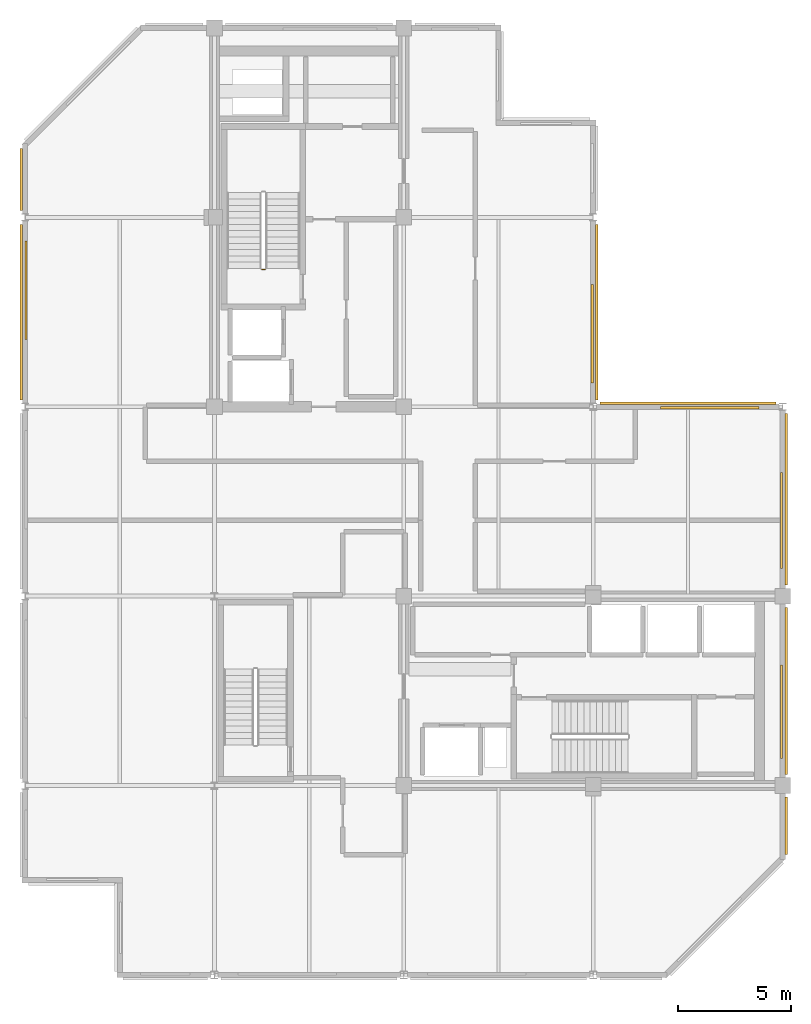
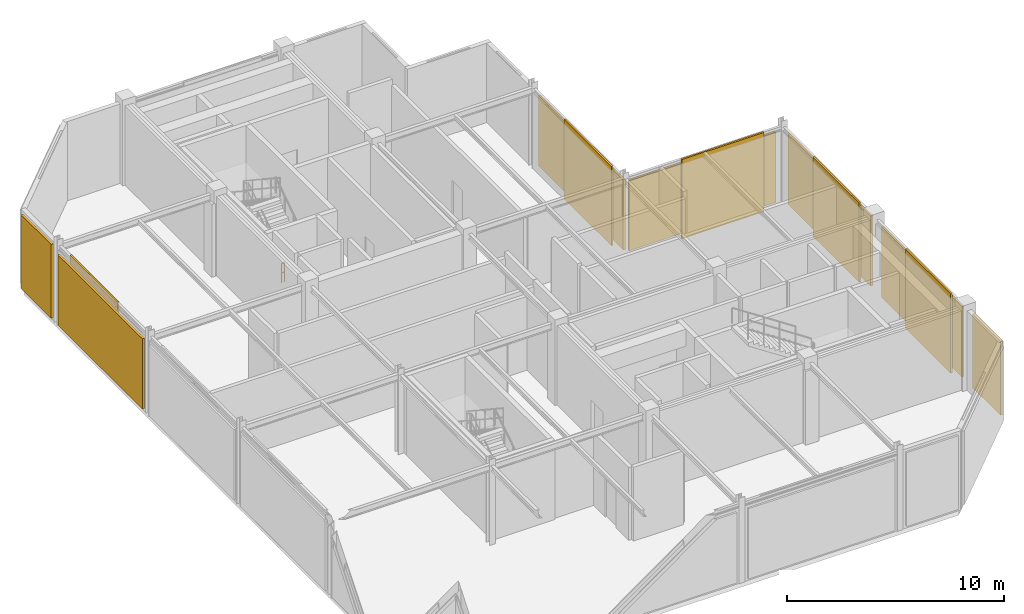
# One storey, part 8 of 9: 7 shading devices, 5 coverings, 1 railing.
"""IFC4 building model written with IfcOpenShell, lengths in metres."""

from ifc_helpers import new_model, si_unit, direction, frame, origin, origin_2d, place, context, subcontext, project, spatial, rectangle, circle, extrude, material, layer, layer_set, type_object, element, save


model = new_model("IFC4")

# Units and contexts
model_context = context("Model", 3, precision=1e-05, world=origin(), true_north=direction((0.0, 1.0)))
body_context = subcontext(model_context, "Body", "Model", "MODEL_VIEW")
ifc_project = project(units=[si_unit("LENGTHUNIT", "METRE"), si_unit("AREAUNIT", "SQUARE_METRE"), si_unit("VOLUMEUNIT", "CUBIC_METRE"), si_unit("PLANEANGLEUNIT", "RADIAN"), si_unit("MASSUNIT", "GRAM", prefix="KILO")], contexts=[model_context])

# Site, building, storey
site_placement = place(None, origin())
site = spatial("IfcSite", under=ifc_project, at=site_placement, CompositionType="ELEMENT")
building_placement = place(site_placement, origin())
building = spatial("IfcBuilding", under=site, at=building_placement, Name="Nerrivon Quay Data Exchange", CompositionType="ELEMENT")
storey_placement = place(building_placement, frame((0.0, 0.0, 322.199951171875)))
storey = spatial("IfcBuildingStorey", under=building, at=storey_placement, Name="L77", CompositionType="ELEMENT", Elevation=322.199951171875)

# Coverings
ifc_material_1 = material(Name="Architectural terracotta ceramic", Category="masonry")
ifc_layer_1 = layer(ifc_material_1, 0.090087890625)
ifc_layer_set_1 = layer_set([ifc_layer_1], Name="Architectural terracotta ceramic")
covering_type = type_object("IfcCoveringType", Name="COV-SCR-TERR", PredefinedType="CLADDING", material=ifc_layer_set_1)
for number, where, z_axis, x_axis, name in (
    (1, (0.044921875, 30.3701171875, 0.0), (0.0, 0.0, 1.0), (0.0, 1.0, 0.0), "L77 Perforated Terracotta SOLAR SCREEN Cassette"),
    (2, (25.155029296875, 28.4296875, 0.0), (0.0, 0.0, 1.0), (0.0, -1.0, 0.0), "L77 Perforated Terracotta SOLAR SCREEN Cassette"),
):
    element("IfcCovering", number, at=place(storey_placement, frame(where, z_axis=z_axis, x_axis=x_axis)), inside=storey, type_object=covering_type, Name=name, PredefinedType="CLADDING", context=body_context, shape_type="SweptSolid", body=[
        extrude(rectangle(XDim=4.365966796875, YDim=0.090087890625, at=origin_2d()), origin(), (0.0, 0.0, 1.0), 4.449951171875),
    ])
covering_1_placement = place(storey_placement, frame((30.37109375, 25.155029296875, 0.0), z_axis=(0.0, 0.0, 1.0), x_axis=(1.0, 0.0, 0.0)))
element("IfcCovering", 3, at=covering_1_placement, inside=storey, type_object=covering_type, Name="L77 Perforated Terracotta SOLAR SCREEN Cassette", PredefinedType="CLADDING", context=body_context, shape_type="SweptSolid", body=[
    extrude(rectangle(XDim=4.3701171875, YDim=0.090087890625, at=origin_2d()), origin(), (0.0, 0.0, 1.0), 4.449951171875),
])
covering_2_placement = place(storey_placement, frame((33.554931640625, 20.149169921875, 0.0), z_axis=(0.0, 0.0, 1.0), x_axis=(0.0, -1.0, 0.0)))
element("IfcCovering", 4, at=covering_2_placement, inside=storey, type_object=covering_type, Name="L77 Perforated Terracotta SOLAR SCREEN Cassette", PredefinedType="CLADDING", context=body_context, shape_type="SweptSolid", body=[
    extrude(rectangle(XDim=4.261962890625, YDim=0.090087890625, at=origin_2d()), origin(), (0.0, 0.0, 1.0), 4.449951171875),
])
covering_3_placement = place(storey_placement, frame((33.554931640625, 11.676025390625, 0.0), z_axis=(0.0, 0.0, 1.0), x_axis=(0.0, -1.0, 0.0)))
element("IfcCovering", 5, at=covering_3_placement, inside=storey, type_object=covering_type, Name="L77 Perforated Terracotta SOLAR SCREEN Cassette", PredefinedType="CLADDING", context=body_context, shape_type="SweptSolid", body=[
    extrude(rectangle(XDim=4.157958984375, YDim=0.090087890625, at=origin_2d()), origin(), (0.0, 0.0, 1.0), 4.449951171875),
])

# Railing
ifc_material_2 = material(Name="Steel Grade C350L0 (350 MPa)", Category="steel")
railing_type = type_object("IfcRailingType", Name="RAIL-STAIR-GR1", PredefinedType="BALUSTRADE", material=ifc_material_2)
railing_placement = place(storey_placement, frame((10.64990234375, 31.280029296875, 0.0)))
element("IfcRailing", 6, at=railing_placement, inside=storey, type_object=railing_type, Name="L77 ST01 stair guard 4", PredefinedType="BALUSTRADE", context=body_context, shape_type="SweptSolid", body=[
    extrude(circle(Radius=0.02392578125, at=origin_2d()), frame((0.0, 0.0, 1.076171875), z_axis=(-1.0, 0.0, 0.0), x_axis=(0.0, -1.0, 0.0)), (0.0, 0.0, 1.0), 0.14990234375),
    extrude(circle(Radius=0.02392578125, at=origin_2d()), frame((0.0, 0.0, 0.550048828125), z_axis=(-1.0, 0.0, 0.0), x_axis=(0.0, -1.0, 0.0)), (0.0, 0.0, 1.0), 0.14990234375),
    extrude(circle(Radius=0.02099609375, at=origin_2d()), origin(), (0.0, 0.0, 1.0), 1.052001953125),
    extrude(circle(Radius=0.02099609375, at=origin_2d()), frame((-0.14990234375, 0.0, 0.0)), (0.0, 0.0, 1.0), 1.052001953125),
])

# Shading devices
ifc_material_3 = material(Name="Anodised aluminium 6063-T6", Category="aluminium")
ifc_layer_2 = layer(ifc_material_3, 0.1201171875)
ifc_layer_set_2 = layer_set([ifc_layer_2], Name="Anodised aluminium 6063-T6")
shading_device_type = type_object("IfcShadingDeviceType", Name="SHD-LOUV-LV01", PredefinedType="JALOUSIE", material=ifc_layer_set_2)
shading_device_1_placement = place(storey_placement, frame((-0.159912109375, 29.39990234375, 0.14990234375), z_axis=(0.0, 0.0, 1.0), x_axis=(0.0, 1.0, 0.0)))
element("IfcShadingDevice", 7, at=shading_device_1_placement, inside=storey, type_object=shading_device_type, Name="L77 Acoustic Plant Louvre LV01-11", PredefinedType="JALOUSIE", context=body_context, shape_type="SweptSolid", body=[
    extrude(rectangle(XDim=7.784912109375, YDim=0.1201171875, at=origin_2d()), origin(), (0.0, 0.0, 1.0), 3.943115234375),
])
shading_device_2_placement = place(storey_placement, frame((-0.159912109375, 35.27880859375, 0.150146484375), z_axis=(0.0, 0.0, 1.0), x_axis=(0.0, 1.0, 0.0)))
element("IfcShadingDevice", 8, at=shading_device_2_placement, inside=storey, type_object=shading_device_type, Name="L77 Acoustic Plant Louvre LV01-12", PredefinedType="JALOUSIE", context=body_context, shape_type="SweptSolid", body=[
    extrude(rectangle(XDim=2.742431640625, YDim=0.1201171875, at=origin_2d()), origin(), (0.0, 0.0, 1.0), 4.14990234375),
])
shading_device_3_placement = place(storey_placement, frame((25.360107421875, 29.39990234375, 0.14990234375), z_axis=(0.0, 0.0, 1.0), x_axis=(0.0, -1.0, 0.0)))
element("IfcShadingDevice", 9, at=shading_device_3_placement, inside=storey, type_object=shading_device_type, Name="L77 Acoustic Plant Louvre LV01-20", PredefinedType="JALOUSIE", context=body_context, shape_type="SweptSolid", body=[
    extrude(rectangle(XDim=7.784912109375, YDim=0.1201171875, at=origin_2d()), origin(), (0.0, 0.0, 1.0), 3.943115234375),
])
shading_device_4_placement = place(storey_placement, frame((29.39990234375, 25.360107421875, 0.14990234375), z_axis=(0.0, 0.0, 1.0), x_axis=(1.0, 0.0, 0.0)))
element("IfcShadingDevice", 10, at=shading_device_4_placement, inside=storey, type_object=shading_device_type, Name="L77 Acoustic Plant Louvre LV01-21", PredefinedType="JALOUSIE", context=body_context, shape_type="SweptSolid", body=[
    extrude(rectangle(XDim=7.79296875, YDim=0.1201171875, at=origin_2d()), origin(), (0.0, 0.0, 1.0), 3.943115234375),
])
shading_device_5_placement = place(storey_placement, frame((33.760009765625, 21.09619140625, 0.14990234375), z_axis=(0.0, 0.0, 1.0), x_axis=(0.0, -1.0, 0.0)))
element("IfcShadingDevice", 11, at=shading_device_5_placement, inside=storey, type_object=shading_device_type, Name="L77 Acoustic Plant Louvre LV01-22", PredefinedType="JALOUSIE", context=body_context, shape_type="SweptSolid", body=[
    extrude(rectangle(XDim=7.592529296875, YDim=0.1201171875, at=origin_2d()), origin(), (0.0, 0.0, 1.0), 3.943115234375),
])
shading_device_6_placement = place(storey_placement, frame((33.760009765625, 12.60009765625, 0.14990234375), z_axis=(0.0, 0.0, 1.0), x_axis=(0.0, -1.0, 0.0)))
element("IfcShadingDevice", 12, at=shading_device_6_placement, inside=storey, type_object=shading_device_type, Name="L77 Acoustic Plant Louvre LV01-23", PredefinedType="JALOUSIE", context=body_context, shape_type="SweptSolid", body=[
    extrude(rectangle(XDim=7.39990234375, YDim=0.1201171875, at=origin_2d()), origin(), (0.0, 0.0, 1.0), 3.943115234375),
])
shading_device_7_placement = place(storey_placement, frame((33.760009765625, 6.625, 0.150146484375), z_axis=(0.0, 0.0, 1.0), x_axis=(0.0, -1.0, 0.0)))
element("IfcShadingDevice", 13, at=shading_device_7_placement, inside=storey, type_object=shading_device_type, Name="L77 Acoustic Plant Louvre LV01-24", PredefinedType="JALOUSIE", context=body_context, shape_type="SweptSolid", body=[
    extrude(rectangle(XDim=2.550048828125, YDim=0.1201171875, at=origin_2d()), origin(), (0.0, 0.0, 1.0), 4.14990234375),
])

save(model, "model.ifc")
